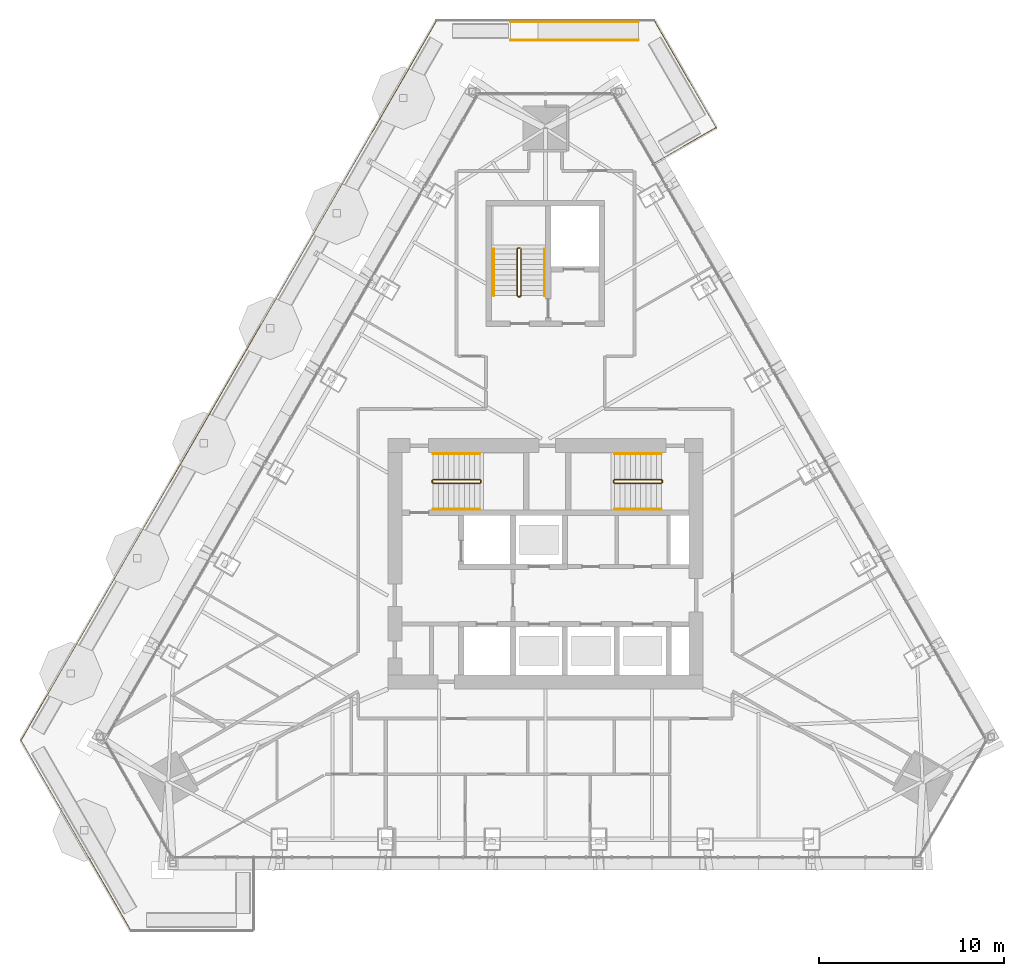
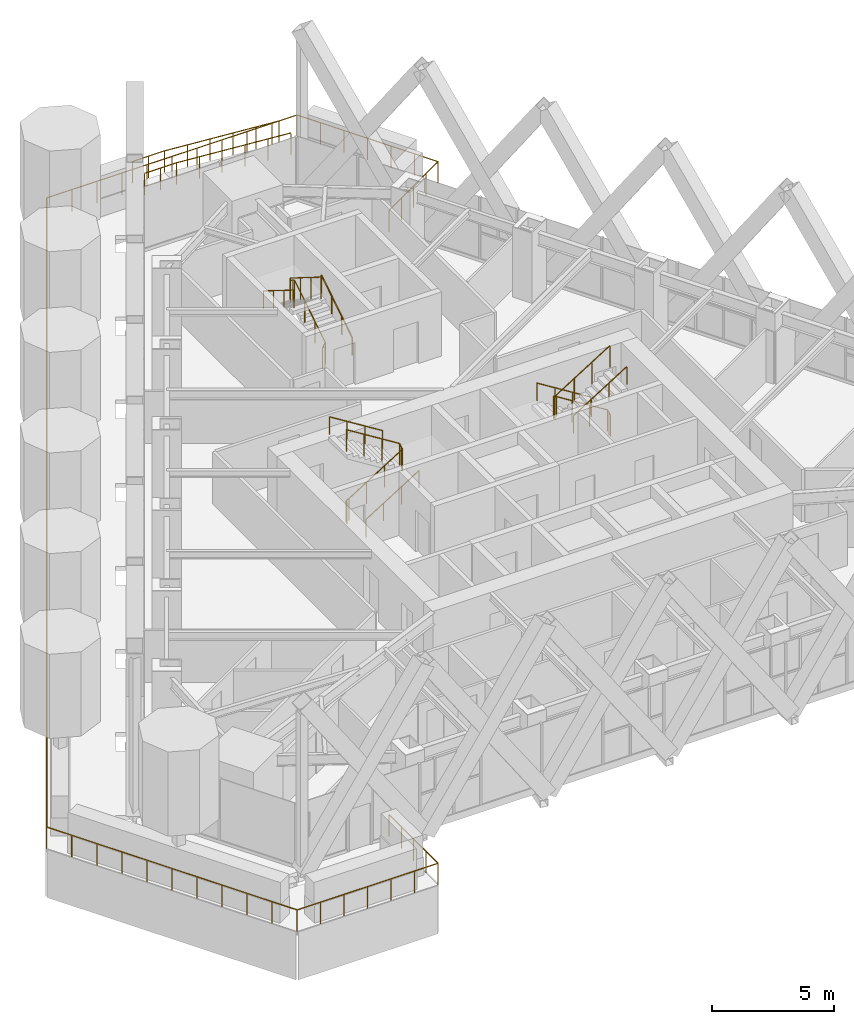
# One storey, part 22 of 24: 12 railings.
"""IFC4 building model written with IfcOpenShell, lengths in metres."""

from ifc_helpers import new_model, si_unit, direction, frame, origin, origin_2d, place, context, subcontext, project, spatial, circle, extrude, material, type_object, element, save


model = new_model("IFC4")

# Units and contexts
model_context = context("Model", 3, precision=1e-05, world=origin(), true_north=direction((0.0, 1.0)))
body_context = subcontext(model_context, "Body", "Model", "MODEL_VIEW")
ifc_project = project(units=[si_unit("LENGTHUNIT", "METRE"), si_unit("AREAUNIT", "SQUARE_METRE"), si_unit("VOLUMEUNIT", "CUBIC_METRE"), si_unit("PLANEANGLEUNIT", "RADIAN"), si_unit("MASSUNIT", "GRAM", prefix="KILO")], contexts=[model_context])

# Site, building, storey
site_placement = place(None, origin())
site = spatial("IfcSite", under=ifc_project, at=site_placement, CompositionType="ELEMENT")
building_placement = place(site_placement, origin())
building = spatial("IfcBuilding", under=site, at=building_placement, Name="Firuza Gate Tower and Library", CompositionType="ELEMENT")
storey_placement = place(building_placement, frame((0.0, 0.0, 323.10009765625)))
storey = spatial("IfcBuildingStorey", under=building, at=storey_placement, Name="L79", CompositionType="ELEMENT", Elevation=323.10009765625)

# Railings
ifc_material_1 = material(Name="Steel S355", Category="steel")
railing_type_1 = type_object("IfcRailingType", Name="Garden ramp guard 1100", PredefinedType="GUARDRAIL", material=ifc_material_1)
for number, where, name in (
    (1, (80.009521484375, 103.25244140625, 0.0498046875), "Ramp guard"),
    (2, (80.009521484375, 104.232666015625, 0.0498046875), "Ramp guard"),
):
    element("IfcRailing", number, at=place(storey_placement, frame(where)), inside=storey, type_object=railing_type_1, Name=name, PredefinedType="GUARDRAIL", context=body_context, shape_type="SweptSolid", body=[
        extrude(circle(Radius=0.02392578125, at=origin_2d()), frame((0.0, 0.0, 1.076171875), z_axis=(-0.997265908863, 0.0, 0.0738965968), x_axis=(0.0, -1.0, 0.0)), (0.0, 0.0, 1.0), 5.4150390625),
        extrude(circle(Radius=0.02392578125, at=origin_2d()), frame((-5.400146484375, 0.0, 1.47607421875), z_axis=(-1.0, 0.0, 0.0), x_axis=(0.0, -1.0, 0.0)), (0.0, 0.0, 1.0), 1.5),
        extrude(circle(Radius=0.02099609375, at=origin_2d()), origin(), (0.0, 0.0, 1.0), 1.052001953125),
        extrude(circle(Radius=0.02099609375, at=origin_2d()), frame((-1.080078125, 0.0, 0.080078125)), (0.0, 0.0, 1.0), 1.052001953125),
        extrude(circle(Radius=0.02099609375, at=origin_2d()), frame((-2.16015625, 0.0, 0.16015625)), (0.0, 0.0, 1.0), 1.052001953125),
        extrude(circle(Radius=0.02099609375, at=origin_2d()), frame((-3.239990234375, 0.0, 0.239990234375)), (0.0, 0.0, 1.0), 1.052001953125),
        extrude(circle(Radius=0.02099609375, at=origin_2d()), frame((-4.320068359375, 0.0, 0.320068359375)), (0.0, 0.0, 1.0), 1.052001953125),
        extrude(circle(Radius=0.02099609375, at=origin_2d()), frame((-5.400146484375, 0.0, 0.400146484375)), (0.0, 0.0, 1.0), 1.052001953125),
        extrude(circle(Radius=0.02099609375, at=origin_2d()), frame((-6.150146484375, 0.0, 0.400146484375)), (0.0, 0.0, 1.0), 1.052001953125),
        extrude(circle(Radius=0.02099609375, at=origin_2d()), frame((-6.900146484375, 0.0, 0.400146484375)), (0.0, 0.0, 1.0), 1.052001953125),
    ])
ifc_material_2 = material(Name="Steel S355", Category="steel")
railing_type_2 = type_object("IfcRailingType", Name="Stair guard 1100", PredefinedType="GUARDRAIL", material=ifc_material_2)
railing_1_placement = place(storey_placement, frame((68.889892578125, 79.389892578125, 0.0)))
element("IfcRailing", 3, at=railing_1_placement, inside=storey, type_object=railing_type_2, Name="L79 ST1 stair guard 1", PredefinedType="GUARDRAIL", context=body_context, shape_type="SweptSolid", body=[
    extrude(circle(Radius=0.02392578125, at=origin_2d()), frame((0.0, 0.0, 1.076171875), z_axis=(0.0, 1.0, 0.0), x_axis=(-1.0, 0.0, 0.0)), (0.0, 0.0, 1.0), 0.10009765625),
    extrude(circle(Radius=0.02392578125, at=origin_2d()), frame((0.0, 0.10009765625, 1.076171875), z_axis=(0.212383695785, -0.636115069328, 0.741788908207), x_axis=(0.948528701346, 0.316691178788, 0.0)), (0.0, 0.0, 1.0), 0.235595703125),
    extrude(circle(Radius=0.02392578125, at=origin_2d()), frame((0.050048828125, -0.0498046875, 1.2509765625), z_axis=(0.847970611238, 0.0, 0.530043245855), x_axis=(0.0, 1.0, 0.0)), (0.0, 0.0, 1.0), 2.971923828125),
    extrude(circle(Radius=0.02392578125, at=origin_2d()), frame((2.570068359375, -0.0498046875, 2.826171875), z_axis=(0.708833529934, 0.705375805398, 0.0), x_axis=(-0.705375805398, 0.708833529934, 0.0)), (0.0, 0.0, 1.0), 0.070556640625),
    extrude(circle(Radius=0.02392578125, at=origin_2d()), frame((2.6201171875, 0.0, 2.826171875), z_axis=(0.0, 1.0, 0.0), x_axis=(-1.0, 0.0, 0.0)), (0.0, 0.0, 1.0), 0.10009765625),
    extrude(circle(Radius=0.02392578125, at=origin_2d()), frame((2.6201171875, 0.10009765625, 2.826171875), z_axis=(-0.265383341853, 0.265383341853, 0.926899867156), x_axis=(-0.707106781187, -0.707106781187, 0.0)), (0.0, 0.0, 1.0), 0.1884765625),
    extrude(circle(Radius=0.02392578125, at=origin_2d()), frame((2.570068359375, 0.150146484375, 3.0009765625), z_axis=(-0.847970611238, 0.0, 0.530043245855), x_axis=(0.0, -1.0, 0.0)), (0.0, 0.0, 1.0), 2.971923828125),
    extrude(circle(Radius=0.02099609375, at=origin_2d()), origin(), (0.0, 0.0, 1.0), 1.052001953125),
    extrude(circle(Radius=0.02099609375, at=origin_2d()), frame((0.0, 0.10009765625, 0.0)), (0.0, 0.0, 1.0), 1.052001953125),
    extrude(circle(Radius=0.02099609375, at=origin_2d()), frame((0.050048828125, -0.0498046875, 0.1748046875)), (0.0, 0.0, 1.0), 1.052001953125),
    extrude(circle(Radius=0.02099609375, at=origin_2d()), frame((0.89013671875, -0.0498046875, 0.699951171875)), (0.0, 0.0, 1.0), 1.052001953125),
    extrude(circle(Radius=0.02099609375, at=origin_2d()), frame((1.72998046875, -0.0498046875, 1.224853515625)), (0.0, 0.0, 1.0), 1.052001953125),
    extrude(circle(Radius=0.02099609375, at=origin_2d()), frame((2.570068359375, -0.0498046875, 1.75)), (0.0, 0.0, 1.0), 1.052001953125),
    extrude(circle(Radius=0.02099609375, at=origin_2d()), frame((2.6201171875, 0.0, 1.75)), (0.0, 0.0, 1.0), 1.052001953125),
    extrude(circle(Radius=0.02099609375, at=origin_2d()), frame((2.6201171875, 0.10009765625, 1.75)), (0.0, 0.0, 1.0), 1.052001953125),
    extrude(circle(Radius=0.02099609375, at=origin_2d()), frame((2.570068359375, 0.150146484375, 1.9248046875)), (0.0, 0.0, 1.0), 1.052001953125),
    extrude(circle(Radius=0.02099609375, at=origin_2d()), frame((1.72998046875, 0.150146484375, 2.449951171875)), (0.0, 0.0, 1.0), 1.052001953125),
    extrude(circle(Radius=0.02099609375, at=origin_2d()), frame((0.89013671875, 0.150146484375, 2.974853515625)), (0.0, 0.0, 1.0), 1.052001953125),
    extrude(circle(Radius=0.02099609375, at=origin_2d()), frame((0.050048828125, 0.150146484375, 3.5)), (0.0, 0.0, 1.0), 1.052001953125),
])
railing_2_placement = place(storey_placement, frame((81.31005859375, 79.489990234375, 0.0)))
element("IfcRailing", 4, at=railing_2_placement, inside=storey, type_object=railing_type_2, Name="L79 ST2 stair guard 1", PredefinedType="GUARDRAIL", context=body_context, shape_type="SweptSolid", body=[
    extrude(circle(Radius=0.02392578125, at=origin_2d()), frame((0.0, 0.0, 1.076171875), z_axis=(0.0, -1.0, 0.0), x_axis=(1.0, 0.0, 0.0)), (0.0, 0.0, 1.0), 0.10009765625),
    extrude(circle(Radius=0.02392578125, at=origin_2d()), frame((0.0, -0.10009765625, 1.076171875), z_axis=(-0.21224375372, 0.63673126116, 0.741300134944), x_axis=(-0.948683298051, -0.316227766017, 0.0)), (0.0, 0.0, 1.0), 0.23583984375),
    extrude(circle(Radius=0.02392578125, at=origin_2d()), frame((-0.050048828125, 0.050048828125, 1.2509765625), z_axis=(-0.847970611238, 0.0, 0.530043245855), x_axis=(0.0, -1.0, 0.0)), (0.0, 0.0, 1.0), 2.971923828125),
    extrude(circle(Radius=0.02392578125, at=origin_2d()), frame((-2.570068359375, 0.050048828125, 2.826171875), z_axis=(-0.707106781187, -0.707106781187, 0.0), x_axis=(0.707106781187, -0.707106781187, 0.0)), (0.0, 0.0, 1.0), 0.07080078125),
    extrude(circle(Radius=0.02392578125, at=origin_2d()), frame((-2.6201171875, 0.0, 2.826171875), z_axis=(0.0, -1.0, 0.0), x_axis=(1.0, 0.0, 0.0)), (0.0, 0.0, 1.0), 0.10009765625),
    extrude(circle(Radius=0.02392578125, at=origin_2d()), frame((-2.6201171875, -0.10009765625, 2.826171875), z_axis=(0.265474339444, -0.264179342666, 0.927217692888), x_axis=(0.705375805398, 0.708833529934, 0.0)), (0.0, 0.0, 1.0), 0.1884765625),
    extrude(circle(Radius=0.02392578125, at=origin_2d()), frame((-2.570068359375, -0.14990234375, 3.0009765625), z_axis=(0.847970611238, 0.0, 0.530043245855), x_axis=(0.0, 1.0, 0.0)), (0.0, 0.0, 1.0), 2.971923828125),
    extrude(circle(Radius=0.02099609375, at=origin_2d()), origin(), (0.0, 0.0, 1.0), 1.052001953125),
    extrude(circle(Radius=0.02099609375, at=origin_2d()), frame((0.0, -0.10009765625, 0.0)), (0.0, 0.0, 1.0), 1.052001953125),
    extrude(circle(Radius=0.02099609375, at=origin_2d()), frame((-0.050048828125, 0.050048828125, 0.1748046875)), (0.0, 0.0, 1.0), 1.052001953125),
    extrude(circle(Radius=0.02099609375, at=origin_2d()), frame((-0.89013671875, 0.050048828125, 0.699951171875)), (0.0, 0.0, 1.0), 1.052001953125),
    extrude(circle(Radius=0.02099609375, at=origin_2d()), frame((-1.72998046875, 0.050048828125, 1.224853515625)), (0.0, 0.0, 1.0), 1.052001953125),
    extrude(circle(Radius=0.02099609375, at=origin_2d()), frame((-2.570068359375, 0.050048828125, 1.75)), (0.0, 0.0, 1.0), 1.052001953125),
    extrude(circle(Radius=0.02099609375, at=origin_2d()), frame((-2.6201171875, 0.0, 1.75)), (0.0, 0.0, 1.0), 1.052001953125),
    extrude(circle(Radius=0.02099609375, at=origin_2d()), frame((-2.6201171875, -0.10009765625, 1.75)), (0.0, 0.0, 1.0), 1.052001953125),
    extrude(circle(Radius=0.02099609375, at=origin_2d()), frame((-2.570068359375, -0.14990234375, 1.9248046875)), (0.0, 0.0, 1.0), 1.052001953125),
    extrude(circle(Radius=0.02099609375, at=origin_2d()), frame((-1.72998046875, -0.14990234375, 2.449951171875)), (0.0, 0.0, 1.0), 1.052001953125),
    extrude(circle(Radius=0.02099609375, at=origin_2d()), frame((-0.89013671875, -0.14990234375, 2.974853515625)), (0.0, 0.0, 1.0), 1.052001953125),
    extrude(circle(Radius=0.02099609375, at=origin_2d()), frame((-0.050048828125, -0.14990234375, 3.5)), (0.0, 0.0, 1.0), 1.052001953125),
])
railing_3_placement = place(storey_placement, frame((73.6298828125, 89.419921875, 0.0)))
element("IfcRailing", 5, at=railing_3_placement, inside=storey, type_object=railing_type_2, Name="L79 ST3 stair guard 1", PredefinedType="GUARDRAIL", context=body_context, shape_type="SweptSolid", body=[
    extrude(circle(Radius=0.02392578125, at=origin_2d()), frame((0.0, 0.0, 1.076171875), z_axis=(-1.0, 0.0, 0.0), x_axis=(0.0, -1.0, 0.0)), (0.0, 0.0, 1.0), 0.099853515625),
    extrude(circle(Radius=0.02392578125, at=origin_2d()), frame((-0.099853515625, 0.0, 1.076171875), z_axis=(0.636115069328, 0.212383695785, 0.741788908207), x_axis=(-0.316691178788, 0.948528701346, 0.0)), (0.0, 0.0, 1.0), 0.235595703125),
    extrude(circle(Radius=0.02392578125, at=origin_2d()), frame((0.050048828125, 0.050048828125, 1.2509765625), z_axis=(0.0, 0.847970611238, 0.530043245855), x_axis=(-1.0, 0.0, 0.0)), (0.0, 0.0, 1.0), 2.971923828125),
    extrude(circle(Radius=0.02392578125, at=origin_2d()), frame((0.050048828125, 2.570068359375, 2.826171875), z_axis=(-0.707106781187, 0.707106781187, 0.0), x_axis=(-0.707106781187, -0.707106781187, 0.0)), (0.0, 0.0, 1.0), 0.07080078125),
    extrude(circle(Radius=0.02392578125, at=origin_2d()), frame((0.0, 2.6201171875, 2.826171875), z_axis=(-1.0, 0.0, 0.0), x_axis=(0.0, -1.0, 0.0)), (0.0, 0.0, 1.0), 0.099853515625),
    extrude(circle(Radius=0.02392578125, at=origin_2d()), frame((-0.099853515625, 2.6201171875, 2.826171875), z_axis=(-0.265383341853, -0.265383341853, 0.926899867156), x_axis=(0.707106781187, -0.707106781187, 0.0)), (0.0, 0.0, 1.0), 0.1884765625),
    extrude(circle(Radius=0.02392578125, at=origin_2d()), frame((-0.14990234375, 2.570068359375, 3.0009765625), z_axis=(0.0, -0.847970611238, 0.530043245855), x_axis=(1.0, 0.0, 0.0)), (0.0, 0.0, 1.0), 2.971923828125),
    extrude(circle(Radius=0.02099609375, at=origin_2d()), origin(), (0.0, 0.0, 1.0), 1.052001953125),
    extrude(circle(Radius=0.02099609375, at=origin_2d()), frame((-0.099853515625, 0.0, 0.0)), (0.0, 0.0, 1.0), 1.052001953125),
    extrude(circle(Radius=0.02099609375, at=origin_2d()), frame((0.050048828125, 0.050048828125, 0.1748046875)), (0.0, 0.0, 1.0), 1.052001953125),
    extrude(circle(Radius=0.02099609375, at=origin_2d()), frame((0.050048828125, 0.89013671875, 0.699951171875)), (0.0, 0.0, 1.0), 1.052001953125),
    extrude(circle(Radius=0.02099609375, at=origin_2d()), frame((0.050048828125, 1.72998046875, 1.224853515625)), (0.0, 0.0, 1.0), 1.052001953125),
    extrude(circle(Radius=0.02099609375, at=origin_2d()), frame((0.050048828125, 2.570068359375, 1.75)), (0.0, 0.0, 1.0), 1.052001953125),
    extrude(circle(Radius=0.02099609375, at=origin_2d()), frame((0.0, 2.6201171875, 1.75)), (0.0, 0.0, 1.0), 1.052001953125),
    extrude(circle(Radius=0.02099609375, at=origin_2d()), frame((-0.099853515625, 2.6201171875, 1.75)), (0.0, 0.0, 1.0), 1.052001953125),
    extrude(circle(Radius=0.02099609375, at=origin_2d()), frame((-0.14990234375, 2.570068359375, 1.9248046875)), (0.0, 0.0, 1.0), 1.052001953125),
    extrude(circle(Radius=0.02099609375, at=origin_2d()), frame((-0.14990234375, 1.72998046875, 2.449951171875)), (0.0, 0.0, 1.0), 1.052001953125),
    extrude(circle(Radius=0.02099609375, at=origin_2d()), frame((-0.14990234375, 0.89013671875, 2.974853515625)), (0.0, 0.0, 1.0), 1.052001953125),
    extrude(circle(Radius=0.02099609375, at=origin_2d()), frame((-0.14990234375, 0.050048828125, 3.5)), (0.0, 0.0, 1.0), 1.052001953125),
])
ifc_material_3 = material(Name="Steel S355", Category="steel")
railing_type_3 = type_object("IfcRailingType", Name="Stair handrail 900", PredefinedType="HANDRAIL", material=ifc_material_3)
railing_4_placement = place(storey_placement, frame((68.93994140625, 77.949951171875, 0.1748046875)))
element("IfcRailing", 6, at=railing_4_placement, inside=storey, type_object=railing_type_3, Name="L79 ST1 stair handrail 1", PredefinedType="HANDRAIL", context=body_context, shape_type="SweptSolid", body=[
    extrude(circle(Radius=0.02392578125, at=origin_2d()), frame((0.0, 0.0, 0.8759765625), z_axis=(0.847970611238, 0.0, 0.530043245855), x_axis=(0.0, 1.0, 0.0)), (0.0, 0.0, 1.0), 2.971923828125),
    extrude(circle(Radius=0.02099609375, at=origin_2d()), origin(), (0.0, 0.0, 1.0), 0.851806640625),
    extrude(circle(Radius=0.02099609375, at=origin_2d()), frame((0.840087890625, 0.0, 0.525146484375)), (0.0, 0.0, 1.0), 0.851806640625),
    extrude(circle(Radius=0.02099609375, at=origin_2d()), frame((1.679931640625, 0.0, 1.050048828125)), (0.0, 0.0, 1.0), 0.851806640625),
    extrude(circle(Radius=0.02099609375, at=origin_2d()), frame((2.52001953125, 0.0, 1.5751953125)), (0.0, 0.0, 1.0), 0.851806640625),
])
for number, where, name in (
    (7, (71.4599609375, 80.929931640625, 1.9248046875), "L79 ST1 stair handrail 2"),
    (8, (81.260009765625, 80.929931640625, 0.1748046875), "L79 ST2 stair handrail 1"),
):
    element("IfcRailing", number, at=place(storey_placement, frame(where)), inside=storey, type_object=railing_type_3, Name=name, PredefinedType="HANDRAIL", context=body_context, shape_type="SweptSolid", body=[
        extrude(circle(Radius=0.02392578125, at=origin_2d()), frame((0.0, 0.0, 0.8759765625), z_axis=(-0.847970611238, 0.0, 0.530043245855), x_axis=(0.0, -1.0, 0.0)), (0.0, 0.0, 1.0), 2.971923828125),
        extrude(circle(Radius=0.02099609375, at=origin_2d()), origin(), (0.0, 0.0, 1.0), 0.851806640625),
        extrude(circle(Radius=0.02099609375, at=origin_2d()), frame((-0.840087890625, 0.0, 0.525146484375)), (0.0, 0.0, 1.0), 0.851806640625),
        extrude(circle(Radius=0.02099609375, at=origin_2d()), frame((-1.679931640625, 0.0, 1.050048828125)), (0.0, 0.0, 1.0), 0.851806640625),
        extrude(circle(Radius=0.02099609375, at=origin_2d()), frame((-2.52001953125, 0.0, 1.5751953125)), (0.0, 0.0, 1.0), 0.851806640625),
    ])
railing_5_placement = place(storey_placement, frame((78.739990234375, 77.949951171875, 1.9248046875)))
element("IfcRailing", 9, at=railing_5_placement, inside=storey, type_object=railing_type_3, Name="L79 ST2 stair handrail 2", PredefinedType="HANDRAIL", context=body_context, shape_type="SweptSolid", body=[
    extrude(circle(Radius=0.02392578125, at=origin_2d()), frame((0.0, 0.0, 0.8759765625), z_axis=(0.847970611238, 0.0, 0.530043245855), x_axis=(0.0, 1.0, 0.0)), (0.0, 0.0, 1.0), 2.971923828125),
    extrude(circle(Radius=0.02099609375, at=origin_2d()), origin(), (0.0, 0.0, 1.0), 0.851806640625),
    extrude(circle(Radius=0.02099609375, at=origin_2d()), frame((0.840087890625, 0.0, 0.525146484375)), (0.0, 0.0, 1.0), 0.851806640625),
    extrude(circle(Radius=0.02099609375, at=origin_2d()), frame((1.679931640625, 0.0, 1.050048828125)), (0.0, 0.0, 1.0), 0.851806640625),
    extrude(circle(Radius=0.02099609375, at=origin_2d()), frame((2.52001953125, 0.0, 1.5751953125)), (0.0, 0.0, 1.0), 0.851806640625),
])
railing_6_placement = place(storey_placement, frame((74.949951171875, 89.469970703125, 0.1748046875)))
element("IfcRailing", 10, at=railing_6_placement, inside=storey, type_object=railing_type_3, Name="L79 ST3 stair handrail 1", PredefinedType="HANDRAIL", context=body_context, shape_type="SweptSolid", body=[
    extrude(circle(Radius=0.02392578125, at=origin_2d()), frame((0.0, 0.0, 0.8759765625), z_axis=(0.0, 0.847970611238, 0.530043245855), x_axis=(-1.0, 0.0, 0.0)), (0.0, 0.0, 1.0), 2.971923828125),
    extrude(circle(Radius=0.02099609375, at=origin_2d()), origin(), (0.0, 0.0, 1.0), 0.851806640625),
    extrude(circle(Radius=0.02099609375, at=origin_2d()), frame((0.0, 0.840087890625, 0.525146484375)), (0.0, 0.0, 1.0), 0.851806640625),
    extrude(circle(Radius=0.02099609375, at=origin_2d()), frame((0.0, 1.679931640625, 1.050048828125)), (0.0, 0.0, 1.0), 0.851806640625),
    extrude(circle(Radius=0.02099609375, at=origin_2d()), frame((0.0, 2.52001953125, 1.5751953125)), (0.0, 0.0, 1.0), 0.851806640625),
])
railing_7_placement = place(storey_placement, frame((72.2099609375, 91.989990234375, 1.9248046875)))
element("IfcRailing", 11, at=railing_7_placement, inside=storey, type_object=railing_type_3, Name="L79 ST3 stair handrail 2", PredefinedType="HANDRAIL", context=body_context, shape_type="SweptSolid", body=[
    extrude(circle(Radius=0.02392578125, at=origin_2d()), frame((0.0, 0.0, 0.8759765625), z_axis=(0.0, -0.847970611238, 0.530043245855), x_axis=(1.0, 0.0, 0.0)), (0.0, 0.0, 1.0), 2.971923828125),
    extrude(circle(Radius=0.02099609375, at=origin_2d()), origin(), (0.0, 0.0, 1.0), 0.851806640625),
    extrude(circle(Radius=0.02099609375, at=origin_2d()), frame((0.0, -0.840087890625, 0.525146484375)), (0.0, 0.0, 1.0), 0.851806640625),
    extrude(circle(Radius=0.02099609375, at=origin_2d()), frame((0.0, -1.679931640625, 1.050048828125)), (0.0, 0.0, 1.0), 0.851806640625),
    extrude(circle(Radius=0.02099609375, at=origin_2d()), frame((0.0, -2.52001953125, 1.5751953125)), (0.0, 0.0, 1.0), 0.851806640625),
])
ifc_material_4 = material(Name="Steel S355", Category="steel")
railing_type_4 = type_object("IfcRailingType", Name="Terrace guard 1100", PredefinedType="GUARDRAIL", material=ifc_material_4)
railing_8_placement = place(storey_placement, frame((80.77001953125, 96.533935546875, 0.0)))
element("IfcRailing", 12, at=railing_8_placement, inside=storey, type_object=railing_type_4, Name="Tray guard L79", PredefinedType="GUARDRAIL", context=body_context, shape_type="SweptSolid", body=[
    extrude(circle(Radius=0.02392578125, at=origin_2d()), frame((0.0, 0.0, 1.076171875), z_axis=(0.866026010844, 0.49999894854, 0.0), x_axis=(-0.49999894854, 0.866026010844, 0.0)), (0.0, 0.0, 1.0), 4.0),
    extrude(circle(Radius=0.02392578125, at=origin_2d()), frame((3.464111328125, 2.0, 1.076171875), z_axis=(-0.500001079473, 0.86602478055, 0.0), x_axis=(-0.86602478055, -0.500001079473, 0.0)), (0.0, 0.0, 1.0), 6.6494140625),
    extrude(circle(Radius=0.02392578125, at=origin_2d()), frame((0.139404296875, 7.758544921875, 1.076171875), z_axis=(-1.0, 0.0, 0.0), x_axis=(0.0, -1.0, 0.0)), (0.0, 0.0, 1.0), 11.81884765625),
    extrude(circle(Radius=0.02392578125, at=origin_2d()), frame((-11.679443359375, 7.758544921875, 1.076171875), z_axis=(-0.499999821684, -0.866025506735, 0.0), x_axis=(0.866025506735, -0.499999821684, 0.0)), (0.0, 0.0, 1.0), 44.82666015625),
    extrude(circle(Radius=0.02392578125, at=origin_2d()), frame((-34.0927734375, -31.0625, 1.076171875), z_axis=(0.500002592159, -0.866023907196, 0.0), x_axis=(0.866023907196, 0.500002592159, 0.0)), (0.0, 0.0, 1.0), 11.81884765625),
    extrude(circle(Radius=0.02392578125, at=origin_2d()), frame((-28.183349609375, -41.2978515625, 1.076171875), z_axis=(1.0, 0.0, 0.0), x_axis=(0.0, 1.0, 0.0)), (0.0, 0.0, 1.0), 6.6494140625),
    extrude(circle(Radius=0.02392578125, at=origin_2d()), frame((-21.533935546875, -41.2978515625, 1.076171875), z_axis=(0.0, 1.0, 0.0), x_axis=(-1.0, 0.0, 0.0)), (0.0, 0.0, 1.0), 4.0),
    extrude(circle(Radius=0.02099609375, at=origin_2d()), origin(), (0.0, 0.0, 1.0), 1.052001953125),
    extrude(circle(Radius=0.02099609375, at=origin_2d()), frame((0.865966796875, 0.5, 0.0)), (0.0, 0.0, 1.0), 1.052001953125),
    extrude(circle(Radius=0.02099609375, at=origin_2d()), frame((1.73193359375, 1.0, 0.0)), (0.0, 0.0, 1.0), 1.052001953125),
    extrude(circle(Radius=0.02099609375, at=origin_2d()), frame((2.59814453125, 1.5, 0.0)), (0.0, 0.0, 1.0), 1.052001953125),
    extrude(circle(Radius=0.02099609375, at=origin_2d()), frame((3.464111328125, 2.0, 0.0)), (0.0, 0.0, 1.0), 1.052001953125),
    extrude(circle(Radius=0.02099609375, at=origin_2d()), frame((2.909912109375, 2.959716796875, 0.0)), (0.0, 0.0, 1.0), 1.052001953125),
    extrude(circle(Radius=0.02099609375, at=origin_2d()), frame((2.35595703125, 3.91943359375, 0.0)), (0.0, 0.0, 1.0), 1.052001953125),
    extrude(circle(Radius=0.02099609375, at=origin_2d()), frame((1.8017578125, 4.87939453125, 0.0)), (0.0, 0.0, 1.0), 1.052001953125),
    extrude(circle(Radius=0.02099609375, at=origin_2d()), frame((1.24755859375, 5.839111328125, 0.0)), (0.0, 0.0, 1.0), 1.052001953125),
    extrude(circle(Radius=0.02099609375, at=origin_2d()), frame((0.693603515625, 6.798828125, 0.0)), (0.0, 0.0, 1.0), 1.052001953125),
    extrude(circle(Radius=0.02099609375, at=origin_2d()), frame((0.139404296875, 7.758544921875, 0.0)), (0.0, 0.0, 1.0), 1.052001953125),
    extrude(circle(Radius=0.02099609375, at=origin_2d()), frame((-1.04248046875, 7.758544921875, 0.0)), (0.0, 0.0, 1.0), 1.052001953125),
    extrude(circle(Radius=0.02099609375, at=origin_2d()), frame((-2.224365234375, 7.758544921875, 0.0)), (0.0, 0.0, 1.0), 1.052001953125),
    extrude(circle(Radius=0.02099609375, at=origin_2d()), frame((-3.40625, 7.758544921875, 0.0)), (0.0, 0.0, 1.0), 1.052001953125),
    extrude(circle(Radius=0.02099609375, at=origin_2d()), frame((-4.588134765625, 7.758544921875, 0.0)), (0.0, 0.0, 1.0), 1.052001953125),
    extrude(circle(Radius=0.02099609375, at=origin_2d()), frame((-5.77001953125, 7.758544921875, 0.0)), (0.0, 0.0, 1.0), 1.052001953125),
    extrude(circle(Radius=0.02099609375, at=origin_2d()), frame((-6.951904296875, 7.758544921875, 0.0)), (0.0, 0.0, 1.0), 1.052001953125),
    extrude(circle(Radius=0.02099609375, at=origin_2d()), frame((-8.1337890625, 7.758544921875, 0.0)), (0.0, 0.0, 1.0), 1.052001953125),
    extrude(circle(Radius=0.02099609375, at=origin_2d()), frame((-9.315673828125, 7.758544921875, 0.0)), (0.0, 0.0, 1.0), 1.052001953125),
    extrude(circle(Radius=0.02099609375, at=origin_2d()), frame((-10.49755859375, 7.758544921875, 0.0)), (0.0, 0.0, 1.0), 1.052001953125),
    extrude(circle(Radius=0.02099609375, at=origin_2d()), frame((-11.679443359375, 7.758544921875, 0.0)), (0.0, 0.0, 1.0), 1.052001953125),
    extrude(circle(Radius=0.02099609375, at=origin_2d()), frame((-12.269287109375, 6.73681640625, 0.0)), (0.0, 0.0, 1.0), 1.052001953125),
    extrude(circle(Radius=0.02099609375, at=origin_2d()), frame((-12.859130859375, 5.71533203125, 0.0)), (0.0, 0.0, 1.0), 1.052001953125),
    extrude(circle(Radius=0.02099609375, at=origin_2d()), frame((-13.448974609375, 4.69384765625, 0.0)), (0.0, 0.0, 1.0), 1.052001953125),
    extrude(circle(Radius=0.02099609375, at=origin_2d()), frame((-14.038818359375, 3.672119140625, 0.0)), (0.0, 0.0, 1.0), 1.052001953125),
    extrude(circle(Radius=0.02099609375, at=origin_2d()), frame((-14.628662109375, 2.650390625, 0.0)), (0.0, 0.0, 1.0), 1.052001953125),
    extrude(circle(Radius=0.02099609375, at=origin_2d()), frame((-15.218505859375, 1.62890625, 0.0)), (0.0, 0.0, 1.0), 1.052001953125),
    extrude(circle(Radius=0.02099609375, at=origin_2d()), frame((-15.80810546875, 0.607421875, 0.0)), (0.0, 0.0, 1.0), 1.052001953125),
    extrude(circle(Radius=0.02099609375, at=origin_2d()), frame((-16.39794921875, -0.414306640625, 0.0)), (0.0, 0.0, 1.0), 1.052001953125),
    extrude(circle(Radius=0.02099609375, at=origin_2d()), frame((-16.98779296875, -1.43603515625, 0.0)), (0.0, 0.0, 1.0), 1.052001953125),
    extrude(circle(Radius=0.02099609375, at=origin_2d()), frame((-17.57763671875, -2.45751953125, 0.0)), (0.0, 0.0, 1.0), 1.052001953125),
    extrude(circle(Radius=0.02099609375, at=origin_2d()), frame((-18.16748046875, -3.47900390625, 0.0)), (0.0, 0.0, 1.0), 1.052001953125),
    extrude(circle(Radius=0.02099609375, at=origin_2d()), frame((-18.75732421875, -4.500732421875, 0.0)), (0.0, 0.0, 1.0), 1.052001953125),
    extrude(circle(Radius=0.02099609375, at=origin_2d()), frame((-19.34716796875, -5.5224609375, 0.0)), (0.0, 0.0, 1.0), 1.052001953125),
    extrude(circle(Radius=0.02099609375, at=origin_2d()), frame((-19.93701171875, -6.5439453125, 0.0)), (0.0, 0.0, 1.0), 1.052001953125),
    extrude(circle(Radius=0.02099609375, at=origin_2d()), frame((-20.52685546875, -7.5654296875, 0.0)), (0.0, 0.0, 1.0), 1.052001953125),
    extrude(circle(Radius=0.02099609375, at=origin_2d()), frame((-21.11669921875, -8.587158203125, 0.0)), (0.0, 0.0, 1.0), 1.052001953125),
    extrude(circle(Radius=0.02099609375, at=origin_2d()), frame((-21.70654296875, -9.60888671875, 0.0)), (0.0, 0.0, 1.0), 1.052001953125),
    extrude(circle(Radius=0.02099609375, at=origin_2d()), frame((-22.29638671875, -10.63037109375, 0.0)), (0.0, 0.0, 1.0), 1.052001953125),
    extrude(circle(Radius=0.02099609375, at=origin_2d()), frame((-22.88623046875, -11.65185546875, 0.0)), (0.0, 0.0, 1.0), 1.052001953125),
    extrude(circle(Radius=0.02099609375, at=origin_2d()), frame((-23.475830078125, -12.673583984375, 0.0)), (0.0, 0.0, 1.0), 1.052001953125),
    extrude(circle(Radius=0.02099609375, at=origin_2d()), frame((-24.065673828125, -13.6953125, 0.0)), (0.0, 0.0, 1.0), 1.052001953125),
    extrude(circle(Radius=0.02099609375, at=origin_2d()), frame((-24.655517578125, -14.716796875, 0.0)), (0.0, 0.0, 1.0), 1.052001953125),
    extrude(circle(Radius=0.02099609375, at=origin_2d()), frame((-25.245361328125, -15.73828125, 0.0)), (0.0, 0.0, 1.0), 1.052001953125),
    extrude(circle(Radius=0.02099609375, at=origin_2d()), frame((-25.835205078125, -16.760009765625, 0.0)), (0.0, 0.0, 1.0), 1.052001953125),
    extrude(circle(Radius=0.02099609375, at=origin_2d()), frame((-26.425048828125, -17.78173828125, 0.0)), (0.0, 0.0, 1.0), 1.052001953125),
    extrude(circle(Radius=0.02099609375, at=origin_2d()), frame((-27.014892578125, -18.80322265625, 0.0)), (0.0, 0.0, 1.0), 1.052001953125),
    extrude(circle(Radius=0.02099609375, at=origin_2d()), frame((-27.604736328125, -19.82470703125, 0.0)), (0.0, 0.0, 1.0), 1.052001953125),
    extrude(circle(Radius=0.02099609375, at=origin_2d()), frame((-28.194580078125, -20.846435546875, 0.0)), (0.0, 0.0, 1.0), 1.052001953125),
    extrude(circle(Radius=0.02099609375, at=origin_2d()), frame((-28.784423828125, -21.8681640625, 0.0)), (0.0, 0.0, 1.0), 1.052001953125),
    extrude(circle(Radius=0.02099609375, at=origin_2d()), frame((-29.374267578125, -22.8896484375, 0.0)), (0.0, 0.0, 1.0), 1.052001953125),
    extrude(circle(Radius=0.02099609375, at=origin_2d()), frame((-29.964111328125, -23.9111328125, 0.0)), (0.0, 0.0, 1.0), 1.052001953125),
    extrude(circle(Radius=0.02099609375, at=origin_2d()), frame((-30.5537109375, -24.932861328125, 0.0)), (0.0, 0.0, 1.0), 1.052001953125),
    extrude(circle(Radius=0.02099609375, at=origin_2d()), frame((-31.1435546875, -25.95458984375, 0.0)), (0.0, 0.0, 1.0), 1.052001953125),
    extrude(circle(Radius=0.02099609375, at=origin_2d()), frame((-31.7333984375, -26.97607421875, 0.0)), (0.0, 0.0, 1.0), 1.052001953125),
    extrude(circle(Radius=0.02099609375, at=origin_2d()), frame((-32.3232421875, -27.99755859375, 0.0)), (0.0, 0.0, 1.0), 1.052001953125),
    extrude(circle(Radius=0.02099609375, at=origin_2d()), frame((-32.9130859375, -29.019287109375, 0.0)), (0.0, 0.0, 1.0), 1.052001953125),
    extrude(circle(Radius=0.02099609375, at=origin_2d()), frame((-33.5029296875, -30.041015625, 0.0)), (0.0, 0.0, 1.0), 1.052001953125),
    extrude(circle(Radius=0.02099609375, at=origin_2d()), frame((-34.0927734375, -31.0625, 0.0)), (0.0, 0.0, 1.0), 1.052001953125),
    extrude(circle(Radius=0.02099609375, at=origin_2d()), frame((-33.501953125, -32.0859375, 0.0)), (0.0, 0.0, 1.0), 1.052001953125),
    extrude(circle(Radius=0.02099609375, at=origin_2d()), frame((-32.910888671875, -33.109619140625, 0.0)), (0.0, 0.0, 1.0), 1.052001953125),
    extrude(circle(Radius=0.02099609375, at=origin_2d()), frame((-32.31982421875, -34.133056640625, 0.0)), (0.0, 0.0, 1.0), 1.052001953125),
    extrude(circle(Radius=0.02099609375, at=origin_2d()), frame((-31.72900390625, -35.15673828125, 0.0)), (0.0, 0.0, 1.0), 1.052001953125),
    extrude(circle(Radius=0.02099609375, at=origin_2d()), frame((-31.13818359375, -36.18017578125, 0.0)), (0.0, 0.0, 1.0), 1.052001953125),
    extrude(circle(Radius=0.02099609375, at=origin_2d()), frame((-30.547119140625, -37.20361328125, 0.0)), (0.0, 0.0, 1.0), 1.052001953125),
    extrude(circle(Radius=0.02099609375, at=origin_2d()), frame((-29.9560546875, -38.227294921875, 0.0)), (0.0, 0.0, 1.0), 1.052001953125),
    extrude(circle(Radius=0.02099609375, at=origin_2d()), frame((-29.365234375, -39.250732421875, 0.0)), (0.0, 0.0, 1.0), 1.052001953125),
    extrude(circle(Radius=0.02099609375, at=origin_2d()), frame((-28.7744140625, -40.2744140625, 0.0)), (0.0, 0.0, 1.0), 1.052001953125),
    extrude(circle(Radius=0.02099609375, at=origin_2d()), frame((-28.183349609375, -41.2978515625, 0.0)), (0.0, 0.0, 1.0), 1.052001953125),
    extrude(circle(Radius=0.02099609375, at=origin_2d()), frame((-27.0751953125, -41.2978515625, 0.0)), (0.0, 0.0, 1.0), 1.052001953125),
    extrude(circle(Radius=0.02099609375, at=origin_2d()), frame((-25.966796875, -41.2978515625, 0.0)), (0.0, 0.0, 1.0), 1.052001953125),
    extrude(circle(Radius=0.02099609375, at=origin_2d()), frame((-24.858642578125, -41.2978515625, 0.0)), (0.0, 0.0, 1.0), 1.052001953125),
    extrude(circle(Radius=0.02099609375, at=origin_2d()), frame((-23.75048828125, -41.2978515625, 0.0)), (0.0, 0.0, 1.0), 1.052001953125),
    extrude(circle(Radius=0.02099609375, at=origin_2d()), frame((-22.64208984375, -41.2978515625, 0.0)), (0.0, 0.0, 1.0), 1.052001953125),
    extrude(circle(Radius=0.02099609375, at=origin_2d()), frame((-21.533935546875, -41.2978515625, 0.0)), (0.0, 0.0, 1.0), 1.052001953125),
    extrude(circle(Radius=0.02099609375, at=origin_2d()), frame((-21.533935546875, -40.2978515625, 0.0)), (0.0, 0.0, 1.0), 1.052001953125),
    extrude(circle(Radius=0.02099609375, at=origin_2d()), frame((-21.533935546875, -39.2978515625, 0.0)), (0.0, 0.0, 1.0), 1.052001953125),
    extrude(circle(Radius=0.02099609375, at=origin_2d()), frame((-21.533935546875, -38.2978515625, 0.0)), (0.0, 0.0, 1.0), 1.052001953125),
    extrude(circle(Radius=0.02099609375, at=origin_2d()), frame((-21.533935546875, -37.2978515625, 0.0)), (0.0, 0.0, 1.0), 1.052001953125),
])

save(model, "model.ifc")
